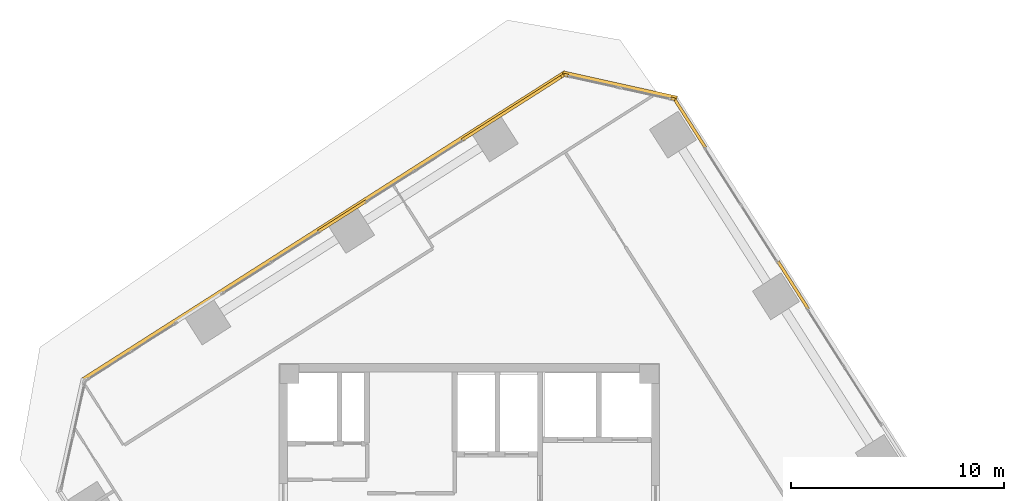
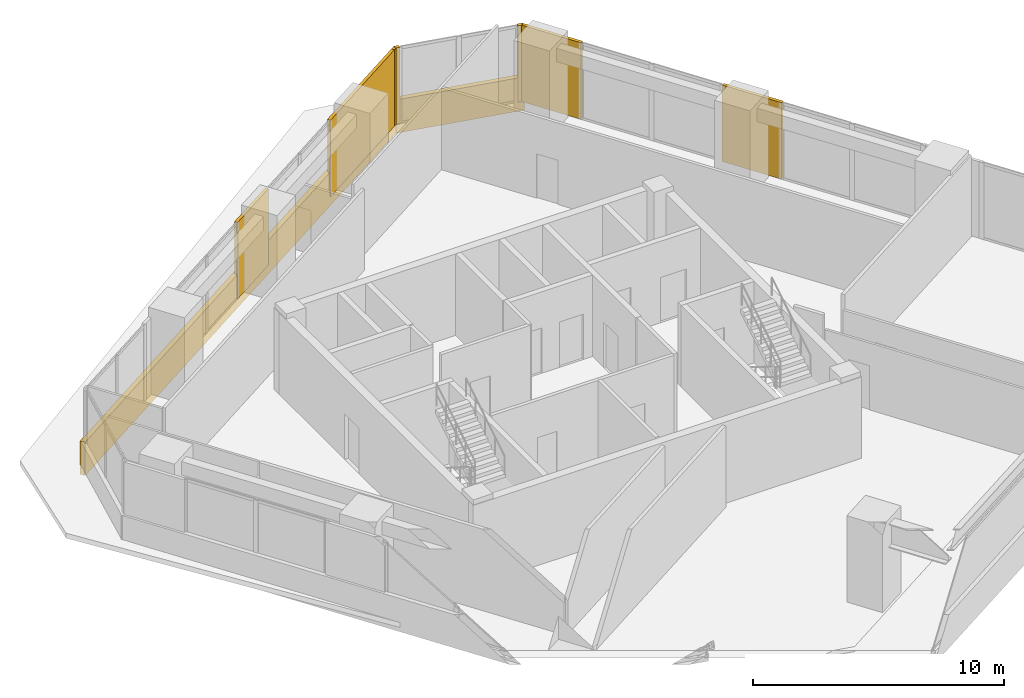
# One storey, part 15 of 15: 9 coverings.
"""IFC4 building model written with IfcOpenShell, lengths in metres."""

from ifc_helpers import new_model, si_unit, direction, frame, origin, origin_2d, place, context, subcontext, project, spatial, rectangle, extrude, source, transform, mapped, material, layer, layer_set, type_object, element, save


model = new_model("IFC4")

# Units and contexts
model_context = context("Model", 3, precision=1e-05, world=origin(), true_north=direction((0.0, 1.0)))
body_context = subcontext(model_context, "Body", "Model", "MODEL_VIEW")
ifc_project = project(units=[si_unit("LENGTHUNIT", "METRE"), si_unit("AREAUNIT", "SQUARE_METRE"), si_unit("VOLUMEUNIT", "CUBIC_METRE"), si_unit("PLANEANGLEUNIT", "RADIAN"), si_unit("MASSUNIT", "GRAM", prefix="KILO")], contexts=[model_context])

# Site, building, storey
site_placement = place(None, origin())
site = spatial("IfcSite", under=ifc_project, at=site_placement, CompositionType="ELEMENT")
building_placement = place(site_placement, origin())
building = spatial("IfcBuilding", under=site, at=building_placement, Name="Torre Montelarca", CompositionType="ELEMENT")
storey_placement = place(building_placement, frame((0.0, 0.0, 307.199951171875)))
storey = spatial("IfcBuildingStorey", under=building, at=storey_placement, Name="L69", CompositionType="ELEMENT", Elevation=307.199951171875)

# Coverings
ifc_material = material(Name="Bush-hammered warm white precast concrete C45/55", Category="concrete")
ifc_layer = layer(ifc_material, 0.139892578125, Name="Bush-hammered warm white precast concrete C45/55", Category="concrete")
ifc_layer_set = layer_set([ifc_layer], Name="Bush-hammered warm white precast concrete C45/55")
covering_type = type_object("IfcCoveringType", Name="COV-TRAY-CLAD", PredefinedType="CLADDING", material=ifc_layer_set)
shared_shape_1 = source(origin(), body_context, "Body", "SweptSolid", [
    extrude(rectangle(XDim=0.199951171875, YDim=0.139892578125, at=origin_2d()), origin(), (0.0, 0.0, 1.0), 3.719970703125),
])
for number, where, z_axis, x_axis, name in (
    (1, (27.56201171875, 52.364501953125, 0.0), (0.0, 0.0, 1.0), (-0.976298273617, 0.216429390178, 0.0), "L69 Architectural Column Pier Cladding E09-1"),
    (2, (22.54150390625, 53.4775390625, 0.0), (0.0, 0.0, 1.0), (-0.976298273617, 0.216429390178, 0.0), "L69 Architectural Column Pier Cladding E09-2"),
    (3, (22.3984375, 53.452392578125, 0.0), (0.0, 0.0, 1.0), (-0.843390508047, -0.537301080342, 0.0), "L69 Architectural Column Pier Cladding E10-1"),
):
    element("IfcCovering", number, at=place(storey_placement, frame(where, z_axis=z_axis, x_axis=x_axis)), inside=storey, type_object=covering_type, Name=name, PredefinedType="CLADDING", context=body_context, shape_type="MappedRepresentation", body=[
        mapped(shared_shape_1, transform((0.0, 0.0, 0.0), scale=1.0)),
    ])
shared_shape_2 = source(origin(), body_context, "Body", "SweptSolid", [
    extrude(rectangle(XDim=2.659912109375, YDim=0.139892578125, at=origin_2d()), origin(), (0.0, 0.0, 1.0), 3.719970703125),
])
for number, where, z_axis, x_axis, name in (
    (4, (33.206298828125, 43.60791015625, 0.0), (0.0, 0.0, 1.0), (-0.537299608347, 0.843391445813, 0.0), "L69 Architectural Column Pier Cladding E08-3"),
    (5, (12.0380859375, 46.85205078125, 0.0), (0.0, 0.0, 1.0), (-0.843390508047, -0.537301080342, 0.0), "L69 Architectural Column Pier Cladding E10-3"),
):
    element("IfcCovering", number, at=place(storey_placement, frame(where, z_axis=z_axis, x_axis=x_axis)), inside=storey, type_object=covering_type, Name=name, PredefinedType="CLADDING", context=body_context, shape_type="MappedRepresentation", body=[
        mapped(shared_shape_2, transform((0.0, 0.0, 0.0), scale=1.0)),
    ])
shared_shape_3 = source(origin(), body_context, "Body", "SweptSolid", [
    extrude(rectangle(XDim=5.493896484375, YDim=0.219970703125, at=origin_2d()), origin(), (0.0, 0.0, 1.0), 1.6201171875),
])
covering_1_placement = place(storey_placement, frame((25.064697265625, 52.979736328125, -0.449951171875), z_axis=(0.0, 0.0, 1.0), x_axis=(-0.97629751813, 0.216432798101, 0.0)))
element("IfcCovering", 6, at=covering_1_placement, inside=storey, type_object=covering_type, Name="L69 Architectural White Spandrel Tray Band TRYBOT-09", PredefinedType="CLADDING", context=body_context, shape_type="MappedRepresentation", body=[
    mapped(shared_shape_3, transform((0.0, 0.0, 0.0), scale=1.0)),
])
shared_shape_4 = source(origin(), body_context, "Body", "SweptSolid", [
    extrude(rectangle(XDim=2.714111328125, YDim=0.139892578125, at=origin_2d()), origin(), (0.0, 0.0, 1.0), 3.719970703125),
])
covering_2_placement = place(storey_placement, frame((28.356201171875, 51.22119140625, 0.0), z_axis=(0.0, 0.0, 1.0), x_axis=(-0.537299608347, 0.843391445813, 0.0)))
element("IfcCovering", 7, at=covering_2_placement, inside=storey, type_object=covering_type, Name="L69 Architectural Column Pier Cladding E08-4", PredefinedType="CLADDING", context=body_context, shape_type="MappedRepresentation", body=[
    mapped(shared_shape_4, transform((0.0, 0.0, 0.0), scale=1.0)),
])
shared_shape_5 = source(origin(), body_context, "Body", "SweptSolid", [
    extrude(rectangle(XDim=5.6142578125, YDim=0.139892578125, at=origin_2d()), origin(), (0.0, 0.0, 1.0), 3.719970703125),
])
covering_3_placement = place(storey_placement, frame((20.031005859375, 51.944091796875, 0.0), z_axis=(0.0, 0.0, 1.0), x_axis=(-0.843390508047, -0.537301080342, 0.0)))
element("IfcCovering", 8, at=covering_3_placement, inside=storey, type_object=covering_type, Name="L69 Architectural Column Pier Cladding E10-2", PredefinedType="CLADDING", context=body_context, shape_type="MappedRepresentation", body=[
    mapped(shared_shape_5, transform((0.0, 0.0, 0.0), scale=1.0)),
])
shared_shape_6 = source(origin(), body_context, "Body", "SweptSolid", [
    extrude(rectangle(XDim=26.919921875, YDim=0.219970703125, at=origin_2d()), origin(), (0.0, 0.0, 1.0), 1.6201171875),
])
covering_4_placement = place(storey_placement, frame((11.16259765625, 46.365478515625, -0.449951171875), z_axis=(0.0, 0.0, 1.0), x_axis=(-0.843392383576, -0.53729813635, 0.0)))
element("IfcCovering", 9, at=covering_4_placement, inside=storey, type_object=covering_type, Name="L69 Architectural White Spandrel Tray Band TRYBOT-10", PredefinedType="CLADDING", context=body_context, shape_type="MappedRepresentation", body=[
    mapped(shared_shape_6, transform((0.0, 0.0, 0.0), scale=1.0)),
])

save(model, "model.ifc")
